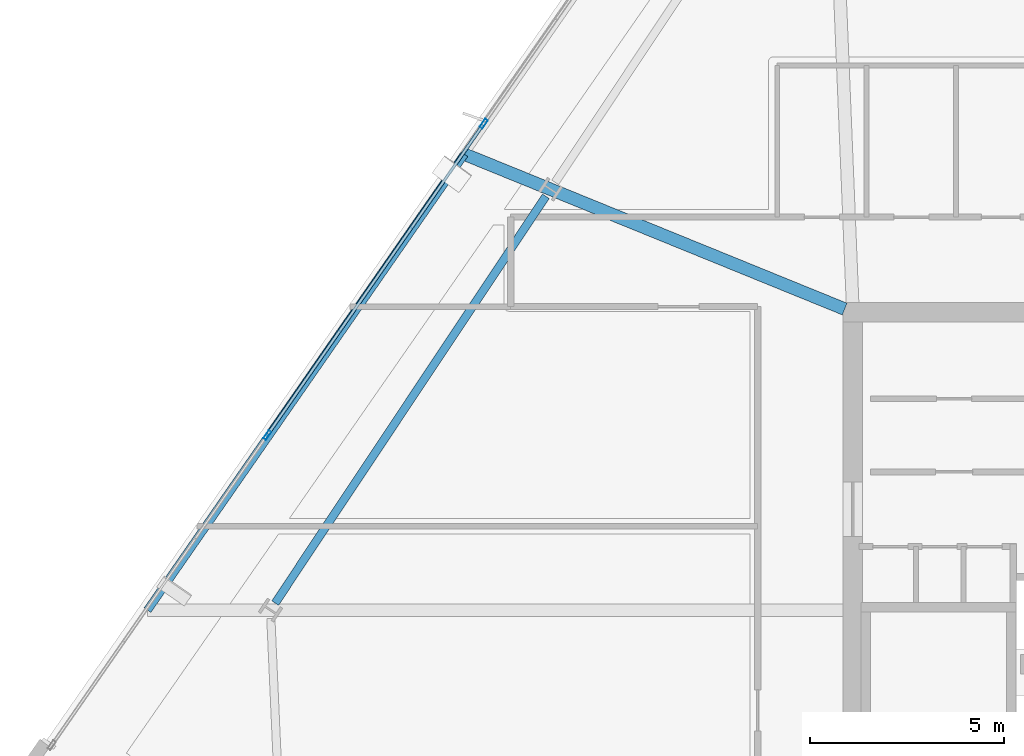
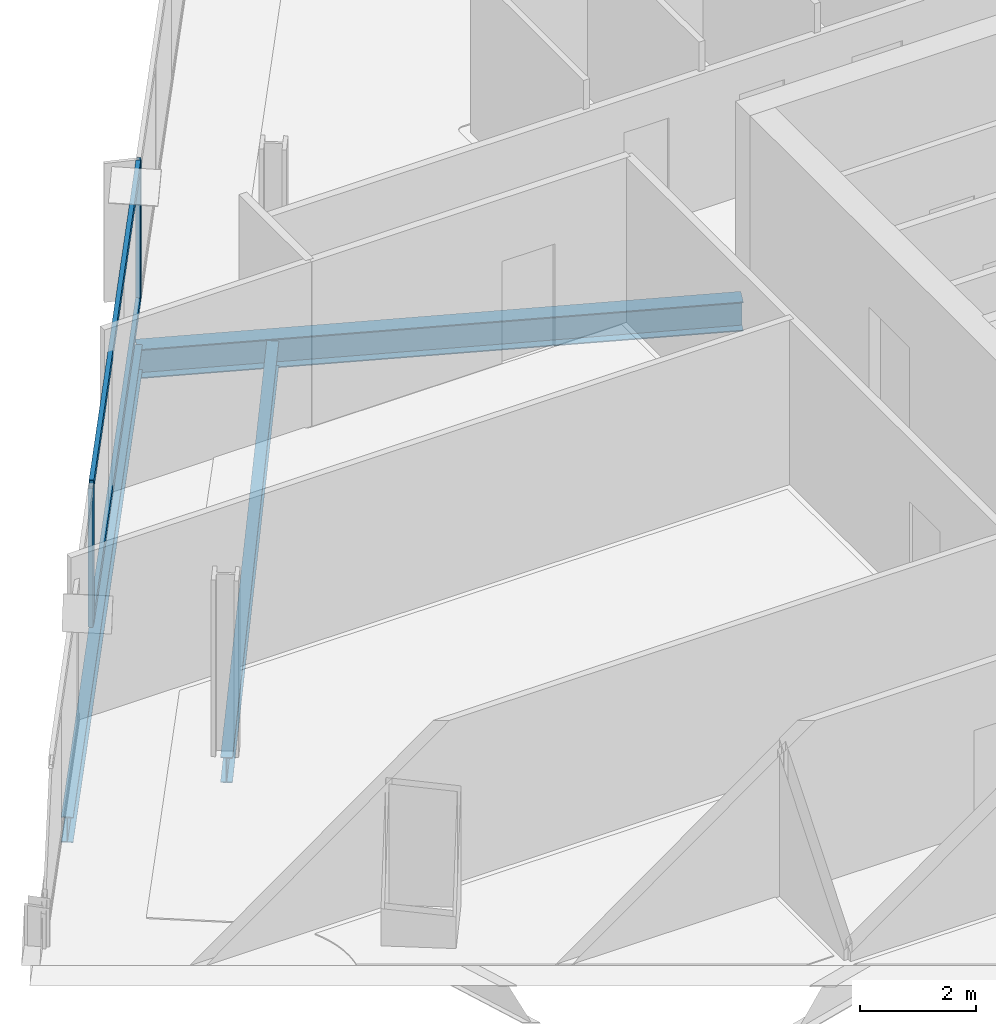
# One storey, part 14 of 30: 4 members, 3 beams, 1 element without a shape of its own.
"""IFC4 building model written with IfcOpenShell, lengths in metres."""

import ifcopenshell
import ifcopenshell.guid

model = None  # the IFC model being written
_history = None  # IfcOwnerHistory: only IFC2X3 demands one
_inside = {}  # id of a spatial element -> (the spatial element, [elements in it])
_under = {}  # id of a project, library or spatial element -> (it, [spatial elements below it])
_declared = {}  # id of a project -> (the project, [libraries it declares])
_typed = {}  # id of a type object -> (the type object, [elements of that type])
_made_of = {}  # id of a material, layer set ... -> (it, [elements and type objects made of it])


def new_model(schema):
    """Start an empty IFC model of exactly this schema.

    Asked for "IFC4X3", IfcOpenShell would pick the latest addendum, in which some entities
    have other attributes; the version numbers below select the first issue.
    IFC2X3 requires an IfcOwnerHistory on every rooted entity: one is made here for all.
    """
    global model, _history
    if schema == "IFC4X3":
        model = ifcopenshell.file(schema_version=(4, 3, 0, 0))
    else:
        model = ifcopenshell.file(schema=schema)
    _inside.clear()
    _under.clear()
    _declared.clear()
    _typed.clear()
    _made_of.clear()
    _history = None
    if model.schema == "IFC2X3":
        org = make("IfcOrganization", Name="unknown")
        user = make(
            "IfcPersonAndOrganization",
            ThePerson=make("IfcPerson", FamilyName="unknown"),
            TheOrganization=org,
        )
        app = make(
            "IfcApplication",
            ApplicationDeveloper=org,
            Version="unknown",
            ApplicationFullName="unknown",
            ApplicationIdentifier="unknown",
        )
        _history = make(
            "IfcOwnerHistory",
            OwningUser=user,
            OwningApplication=app,
            ChangeAction="ADDED",
            CreationDate=0,
        )
    return model


def make(cls, **values):
    """One entity of the class cls with the attributes given. An attribute that is None is left unset."""
    return model.create_entity(
        cls, **{name: value for name, value in values.items() if value is not None}
    )


def rooted(cls, **values):
    """An entity with a GlobalId (a new one), such as an element, a storey or a relation."""
    return make(cls, GlobalId=ifcopenshell.guid.new(), OwnerHistory=_history, **values)


def si_unit(unit_type, name, prefix=None):
    """IfcSIUnit, for example si_unit("LENGTHUNIT", "METRE", prefix="MILLI")."""
    return make("IfcSIUnit", UnitType=unit_type, Prefix=prefix, Name=name)


def assignment(units):
    """IfcUnitAssignment: the units of a project."""
    return None if units is None else make("IfcUnitAssignment", Units=units)


def point(xyz):
    """IfcCartesianPoint."""
    return None if xyz is None else make("IfcCartesianPoint", Coordinates=xyz)


def direction(xyz):
    """IfcDirection."""
    return None if xyz is None else make("IfcDirection", DirectionRatios=xyz)


def frame(location, z_axis=None, x_axis=None):
    """IfcAxis2Placement3D, a coordinate frame: its origin and axes. An axis left out is left unset."""
    return make(
        "IfcAxis2Placement3D",
        Location=point(location),
        Axis=direction(z_axis),
        RefDirection=direction(x_axis),
    )


def frame_2d(location, x_axis=None):
    """IfcAxis2Placement2D, a coordinate frame in the plane: its origin and x axis."""
    return make(
        "IfcAxis2Placement2D", Location=point(location), RefDirection=direction(x_axis)
    )


def origin():
    """The frame at (0, 0, 0) with its axes left unset."""
    return frame((0.0, 0.0, 0.0))


def origin_2d():
    """The frame at (0, 0) in the plane with its x axis left unset."""
    return frame_2d((0.0, 0.0))


def place(relative_to, where):
    """IfcLocalPlacement: puts the frame where relative to a parent placement (None: the world)."""
    return make(
        "IfcLocalPlacement", PlacementRelTo=relative_to, RelativePlacement=where
    )


def context(
    kind, dimensions, precision=None, world=None, true_north=None, identifier=None
):
    """IfcGeometricRepresentationContext, for example the 3D "Model" context."""
    return make(
        "IfcGeometricRepresentationContext",
        ContextIdentifier=identifier,
        ContextType=kind,
        CoordinateSpaceDimension=dimensions,
        Precision=precision,
        WorldCoordinateSystem=world,
        TrueNorth=true_north,
    )


def subcontext(parent, identifier, kind, view, scale=None):
    """IfcGeometricRepresentationSubContext, for example "Body" below "Model"."""
    return make(
        "IfcGeometricRepresentationSubContext",
        ContextIdentifier=identifier,
        ContextType=kind,
        ParentContext=parent,
        TargetScale=scale,
        TargetView=view,
    )


def project(units=None, contexts=None):
    """IfcProject with its units and contexts."""
    return rooted(
        "IfcProject",
        Name="project",
        RepresentationContexts=contexts,
        UnitsInContext=assignment(units),
    )


def spatial(cls, under=None, at=None, **own):
    """A site, building, storey or space (cls), placed at a placement, below another one or the project."""
    s = rooted(cls, ObjectPlacement=at, **own)
    if under is not None:
        _under.setdefault(under.id(), (under, []))[1].append(s)
    return s


def profile(cls, at=None, kind="AREA", **sizes):
    """A parametric profile (cls). Its sizes go by their IFC names, for example OverallWidth=200.0."""
    return make(cls, ProfileType=kind, Position=at, **sizes)


def hollow_rectangle(**sizes):
    """IfcRectangleHollowProfileDef."""
    return profile("IfcRectangleHollowProfileDef", **sizes)


def i_section(**sizes):
    """IfcIShapeProfileDef."""
    return profile("IfcIShapeProfileDef", **sizes)


def extrude(swept, where, along, depth):
    """IfcExtrudedAreaSolid: the profile swept, set in the frame where, extruded along a direction by depth."""
    return make(
        "IfcExtrudedAreaSolid",
        SweptArea=swept,
        Position=where,
        ExtrudedDirection=direction(along),
        Depth=depth,
    )


def shape(context_of_items, identifier, shape_type, items):
    """IfcShapeRepresentation: the items that make up one representation, for example the "Body"."""
    return make(
        "IfcShapeRepresentation",
        ContextOfItems=context_of_items,
        RepresentationIdentifier=identifier,
        RepresentationType=shape_type,
        Items=items,
    )


def material(Name=None, Category=None):
    """IfcMaterial."""
    return make("IfcMaterial", Name=Name, Category=Category)


def material_profile(
    of_material, cross_section, Name=None, Category=None, Priority=None
):
    """IfcMaterialProfile: a cross section and its material."""
    return make(
        "IfcMaterialProfile",
        Name=Name,
        Material=of_material,
        Profile=cross_section,
        Priority=Priority,
        Category=Category,
    )


def profile_set(profiles, Name=None, composite=None):
    """IfcMaterialProfileSet."""
    return make(
        "IfcMaterialProfileSet",
        Name=Name,
        MaterialProfiles=profiles,
        CompositeProfile=composite,
    )


def made_of(thing, what):
    """Note that an element or type object is made of a material, layer set ...; save() writes the relation."""
    if what is not None:
        _made_of.setdefault(what.id(), (what, []))[1].append(thing)
    return thing


def type_object(cls, material=None, **own):
    """A type object (cls), such as IfcWallType, which elements share."""
    return made_of(rooted(cls, **own), material)


def element(
    cls,
    number,
    at=None,
    inside=None,
    cuts=None,
    type_object=None,
    material=None,
    context=None,
    identifier="Body",
    shape_type=None,
    held_by="IfcProductDefinitionShape",
    body=None,
    shapes=None,
    **own,
):
    """One element of the class cls, such as IfcWall. Its Tag is "e" and its number.

    at: its placement. inside: the storey or other place that contains it. cuts: it is an
    opening in that element (IfcRelVoidsElement). A single representation is given by context,
    identifier, shape_type and body (its items); several are given by shapes. held_by: the class
    of the entity that holds the representations. save() writes the other relations.
    """
    e = rooted(cls, Tag="e%d" % number, ObjectPlacement=at, **own)
    if body is not None:
        shapes = [shape(context, identifier, shape_type, body)]
    if shapes is not None:
        e.Representation = make(held_by, Representations=shapes)
    if inside is not None:
        _inside.setdefault(inside.id(), (inside, []))[1].append(e)
    if cuts is not None:
        rooted(
            "IfcRelVoidsElement", RelatingBuildingElement=cuts, RelatedOpeningElement=e
        )
    if type_object is not None:
        _typed.setdefault(type_object.id(), (type_object, []))[1].append(e)
    return made_of(e, material)


def aggregate(whole, parts):
    """IfcRelAggregates: a whole, such as a stair, and the parts it consists of."""
    return rooted("IfcRelAggregates", RelatingObject=whole, RelatedObjects=parts)


def save(model, path):
    """Write the relations noted so far, then the file.

    IfcRelAggregates (storeys below a building ...), IfcRelContainedInSpatialStructure (elements
    in a storey), IfcRelDefinesByType, IfcRelAssociatesMaterial and IfcRelDeclares: one each for
    every whole, place, type object, material and project.
    """
    for whole, parts in _under.values():
        aggregate(whole, parts)
    for where, things in _inside.values():
        rooted(
            "IfcRelContainedInSpatialStructure",
            RelatedElements=things,
            RelatingStructure=where,
        )
    for kind, things in _typed.values():
        rooted("IfcRelDefinesByType", RelatedObjects=things, RelatingType=kind)
    for what, things in _made_of.values():
        rooted("IfcRelAssociatesMaterial", RelatedObjects=things, RelatingMaterial=what)
    for by, libraries in _declared.values():
        rooted("IfcRelDeclares", RelatingContext=by, RelatedDefinitions=libraries)
    model.write(path)


model = new_model("IFC4")

# Units and contexts
model_context = context("Model", 3, precision=1e-05, world=origin(), true_north=direction((0.0, 1.0)))
body_context = subcontext(model_context, "Body", "Model", "MODEL_VIEW")
ifc_project = project(units=[si_unit("LENGTHUNIT", "METRE"), si_unit("AREAUNIT", "SQUARE_METRE"), si_unit("VOLUMEUNIT", "CUBIC_METRE"), si_unit("PLANEANGLEUNIT", "RADIAN"), si_unit("MASSUNIT", "GRAM", prefix="KILO")], contexts=[model_context])

# Site, building, storey
site_placement = place(None, origin())
site = spatial("IfcSite", under=ifc_project, at=site_placement, CompositionType="ELEMENT")
building_placement = place(site_placement, origin())
building = spatial("IfcBuilding", under=site, at=building_placement, Name="Haldenkirk Collegiate Tower", CompositionType="ELEMENT")
storey_placement = place(building_placement, frame((0.0, 0.0, 213.449951171875)))
storey = spatial("IfcBuildingStorey", under=building, at=storey_placement, Name="L53", CompositionType="ELEMENT", Elevation=213.449951171875)

# Beams
ifc_material_1 = material(Name="Steel ASTM A992 Grade 50", Category="steel")
ifc_material_profile_1 = material_profile(ifc_material_1, i_section(OverallWidth=0.324951171875, OverallDepth=0.615966796875, WebThickness=0.013916015625, FlangeThickness=0.021484375, at=origin_2d()), Name="W24X117")
ifc_profile_set_1 = profile_set([ifc_material_profile_1], Name="Steel ASTM A992 Grade 50")
beam_type_1 = type_object("IfcBeamType", Name="BM-GIRDER-W24X117", PredefinedType="BEAM", material=ifc_profile_set_1)
beam_1_placement = place(storey_placement, frame((17.010986328125, 38.067626953125, -0.587890625), z_axis=(0.926155502636, -0.377141863147, 0.0), x_axis=(0.377141863147, 0.926155502636, 0.0)))
element("IfcBeam", 1, at=beam_1_placement, inside=storey, type_object=beam_type_1, Name="L53 primary floor girder 12", PredefinedType="BEAM", context=body_context, shape_type="SweptSolid", body=[
    extrude(i_section(OverallWidth=0.324951171875, OverallDepth=0.615966796875, WebThickness=0.013916015625, FlangeThickness=0.021484375, at=origin_2d()), origin(), (0.0, 0.0, 1.0), 10.5556640625),
])
ifc_material_profile_2 = material_profile(ifc_material_1, i_section(OverallWidth=0.2099609375, OverallDepth=0.537109375, WebThickness=0.010986328125, FlangeThickness=0.017333984375, at=origin_2d()), Name="W21X68")
ifc_profile_set_2 = profile_set([ifc_material_profile_2], Name="Steel ASTM A992 Grade 50")
beam_type_2 = type_object("IfcBeamType", Name="BM-SPANDREL-W21X68", PredefinedType="SPANDREL", material=ifc_profile_set_2)
beam_2_placement = place(storey_placement, frame((19.106201171875, 36.98486328125, -0.54833984375), z_axis=(-0.554117024454, -0.832438780458, 0.0), x_axis=(0.832438780458, -0.554117024454, 0.0)))
element("IfcBeam", 2, at=beam_2_placement, inside=storey, type_object=beam_type_2, Name="L53 perimeter spandrel beam 11", PredefinedType="SPANDREL", context=body_context, shape_type="SweptSolid", body=[
    extrude(i_section(OverallWidth=0.2099609375, OverallDepth=0.537109375, WebThickness=0.010986328125, FlangeThickness=0.017333984375, at=origin_2d()), origin(), (0.0, 0.0, 1.0), 12.562255859375),
])
beam_3_placement = place(storey_placement, frame((17.010986328125, 38.067626953125, -0.54833984375), z_axis=(-0.570716633374, -0.821147078415, 0.0), x_axis=(0.821147078415, -0.570716633374, 0.0)))
element("IfcBeam", 3, at=beam_3_placement, inside=storey, type_object=beam_type_2, Name="L53 outer facade edge beam 3B", PredefinedType="SPANDREL", context=body_context, shape_type="SweptSolid", body=[
    extrude(i_section(OverallWidth=0.2099609375, OverallDepth=0.537109375, WebThickness=0.010986328125, FlangeThickness=0.017333984375, at=origin_2d()), origin(), (0.0, 0.0, 1.0), 14.273193359375),
])

# Curtain wall, members
ifc_material_2 = material(Name="Anodised architectural bronze aluminium", Category="aluminium")
curtain_wall_type = type_object("IfcCurtainWallType", Name="CW-SYS1B-CONVEX-HI", PredefinedType="USERDEFINED", material=ifc_material_2)
curtain_wall_placement = place(storey_placement, origin())
curtain_wall = element("IfcCurtainWall", 4, at=curtain_wall_placement, inside=storey, type_object=curtain_wall_type, Name="L53 Upper tower high-wind convex bronze unitised curtain wall", ObjectType="UNITISED CURTAIN WALL", PredefinedType="USERDEFINED")
ifc_material_profile_3 = material_profile(ifc_material_2, hollow_rectangle(XDim=0.0849609375, YDim=0.25, WallThickness=0.0048828125, at=origin_2d()), Name="CW-MUL-1B")
ifc_profile_set_3 = profile_set([ifc_material_profile_3], Name="Anodised architectural bronze aluminium")
member_type_1 = type_object("IfcMemberType", Name="CW-MUL-1B", PredefinedType="MULLION", material=ifc_profile_set_3)
member_1_placement = place(storey_placement, frame((11.943359375, 30.84619140625, 0.0), z_axis=(0.0, 0.0, 1.0), x_axis=(-0.82114819766, 0.570715023002, 0.0)))
member_1 = element("IfcMember", 5, at=member_1_placement, type_object=member_type_1, Name="CW-1B mullion 2", PredefinedType="MULLION", context=body_context, shape_type="SweptSolid", body=[
    extrude(hollow_rectangle(XDim=0.0849609375, YDim=0.25, WallThickness=0.0048828125, at=origin_2d()), origin(), (0.0, 0.0, 1.0), 2.927978515625),
])
member_2_placement = place(storey_placement, frame((17.5078125, 38.8525390625, 0.0), z_axis=(0.0, 0.0, 1.0), x_axis=(-0.82114819766, 0.570715023002, 0.0)))
member_2 = element("IfcMember", 6, at=member_2_placement, type_object=member_type_1, Name="CW-1B mullion 3", PredefinedType="MULLION", context=body_context, shape_type="SweptSolid", body=[
    extrude(hollow_rectangle(XDim=0.0849609375, YDim=0.25, WallThickness=0.0048828125, at=origin_2d()), origin(), (0.0, 0.0, 1.0), 2.927978515625),
])
ifc_material_profile_4 = material_profile(ifc_material_2, hollow_rectangle(XDim=0.0849609375, YDim=0.199951171875, WallThickness=0.0048828125, at=origin_2d()), Name="CW-TRN-1B")
ifc_profile_set_4 = profile_set([ifc_material_profile_4], Name="Anodised architectural bronze aluminium")
member_type_2 = type_object("IfcMemberType", Name="CW-TRN-1B", PredefinedType="USERDEFINED", material=ifc_profile_set_4)
member_3_placement = place(storey_placement, frame((11.967529296875, 30.881103515625, 0.04248046875), z_axis=(0.570702520748, 0.821156886844, 0.0), x_axis=(-0.821156886844, 0.570702520748, 0.0)))
member_3 = element("IfcMember", 7, at=member_3_placement, type_object=member_type_2, Name="CW-1B transom 2.1", ObjectType="TRANSOM", PredefinedType="USERDEFINED", context=body_context, shape_type="SweptSolid", body=[
    extrude(hollow_rectangle(XDim=0.0849609375, YDim=0.199951171875, WallThickness=0.0048828125, at=origin_2d()), origin(), (0.0, 0.0, 1.0), 9.6650390625),
])
member_4_placement = place(storey_placement, frame((11.967529296875, 30.881103515625, 2.885498046875), z_axis=(0.570702520748, 0.821156886844, 0.0), x_axis=(-0.821156886844, 0.570702520748, 0.0)))
member_4 = element("IfcMember", 8, at=member_4_placement, type_object=member_type_2, Name="CW-1B transom 2.2", ObjectType="TRANSOM", PredefinedType="USERDEFINED", context=body_context, shape_type="SweptSolid", body=[
    extrude(hollow_rectangle(XDim=0.0849609375, YDim=0.199951171875, WallThickness=0.0048828125, at=origin_2d()), origin(), (0.0, 0.0, 1.0), 9.6650390625),
])
aggregate(curtain_wall, [member_1, member_2, member_3, member_4])

save(model, "model.ifc")
